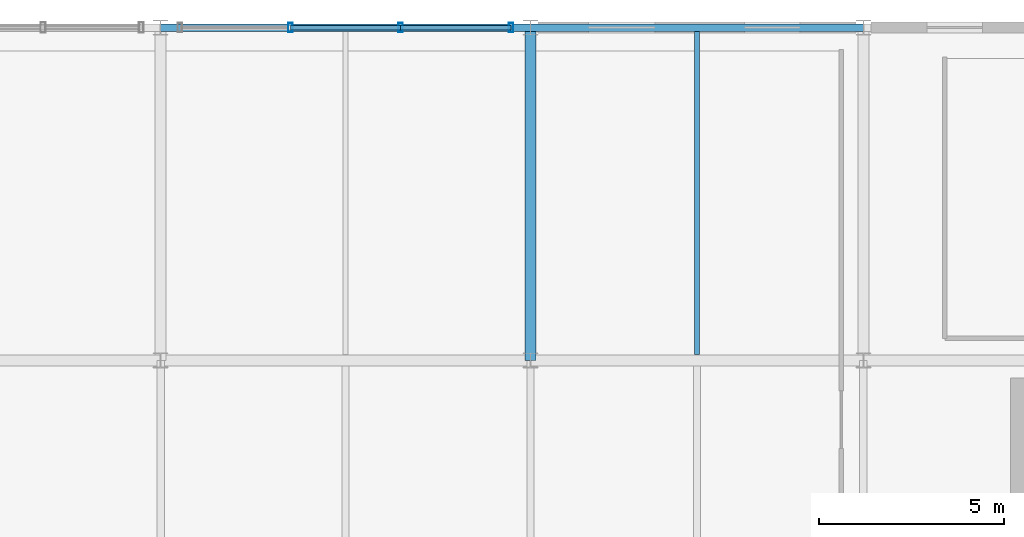
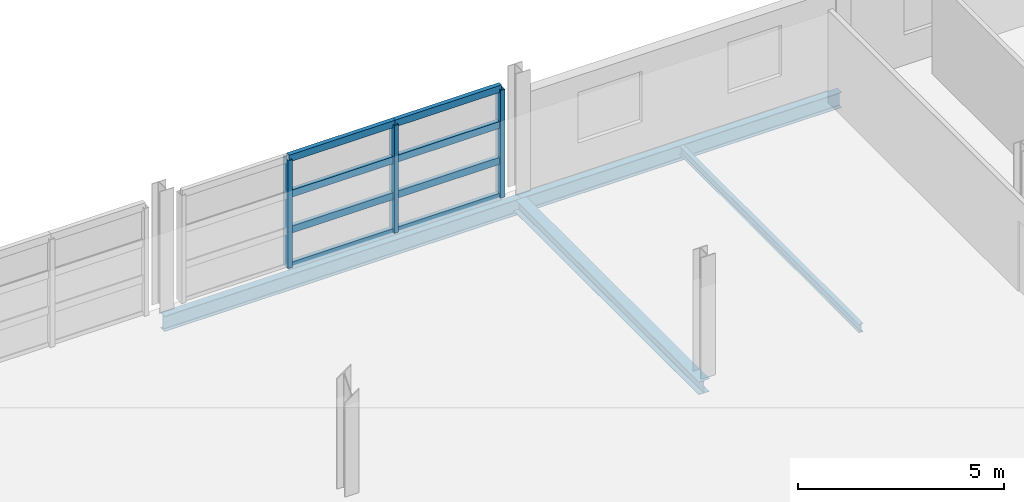
# One storey, part 77 of 116: 11 members, 4 beams, 1 element without a shape of its own.
"""IFC4 building model written with IfcOpenShell, lengths in metres."""

from ifc_helpers import new_model, si_unit, direction, frame, origin, origin_2d, place, context, subcontext, project, spatial, hollow_rectangle, i_section, extrude, material, material_profile, profile_set, type_object, element, aggregate, save


model = new_model("IFC4")

# Units and contexts
model_context = context("Model", 3, precision=1e-05, world=origin(), true_north=direction((0.0, 1.0)))
body_context = subcontext(model_context, "Body", "Model", "MODEL_VIEW")
ifc_project = project(units=[si_unit("LENGTHUNIT", "METRE"), si_unit("AREAUNIT", "SQUARE_METRE"), si_unit("VOLUMEUNIT", "CUBIC_METRE"), si_unit("PLANEANGLEUNIT", "RADIAN"), si_unit("MASSUNIT", "GRAM", prefix="KILO")], contexts=[model_context])

# Site, building, storey
site_placement = place(None, origin())
site = spatial("IfcSite", under=ifc_project, at=site_placement, CompositionType="ELEMENT")
building_placement = place(site_placement, origin())
building = spatial("IfcBuilding", under=site, at=building_placement, Name="Chuanluo Vaults Station", CompositionType="ELEMENT")
storey_placement = place(building_placement, frame((0.0, 0.0, 10.800048828125)))
storey = spatial("IfcBuildingStorey", under=building, at=storey_placement, Name="L02", CompositionType="ELEMENT", Elevation=10.800048828125)

# Beams
ifc_material_1 = material(Name="Steel Q355C", Category="steel")
ifc_material_profile_1 = material_profile(ifc_material_1, i_section(OverallWidth=0.300048828125, OverallDepth=0.389892578125, WebThickness=0.010009765625, FlangeThickness=0.01611328125, FilletRadius=0.02001953125, at=origin_2d()))
ifc_profile_set_1 = profile_set([ifc_material_profile_1], Name="Steel Q355C")
beam_type_1 = type_object("IfcBeamType", Name="BM-GRD-400", PredefinedType="BEAM", material=ifc_profile_set_1)
beam_1_placement = place(storey_placement, frame((136.0, 117.0, -0.4150390625), z_axis=(0.0, 1.0, 0.0), x_axis=(-1.0, 0.0, 0.0)))
element("IfcBeam", 1, at=beam_1_placement, inside=storey, type_object=beam_type_1, Name="Floor girder BM:GY:L02:0640", PredefinedType="BEAM", context=body_context, shape_type="SweptSolid", body=[
    extrude(i_section(OverallWidth=0.300048828125, OverallDepth=0.389892578125, WebThickness=0.010009765625, FlangeThickness=0.01611328125, FilletRadius=0.02001953125, at=origin_2d()), origin(), (0.0, 0.0, 1.0), 9.0),
])
ifc_material_2 = material(Name="Steel Q355C", Category="steel")
ifc_material_profile_2 = material_profile(ifc_material_2, i_section(OverallWidth=0.125, OverallDepth=0.25, WebThickness=0.006103515625, FlangeThickness=0.009033203125, FilletRadius=0.011962890625, at=origin_2d()))
ifc_profile_set_2 = profile_set([ifc_material_profile_2], Name="Steel Q355C")
beam_type_2 = type_object("IfcBeamType", Name="BM-SEC-250", PredefinedType="JOIST", material=ifc_profile_set_2)
beam_2_placement = place(storey_placement, frame((140.5, 117.155029296875, -0.344970703125), z_axis=(0.0, 1.0, 0.0), x_axis=(-1.0, 0.0, 0.0)))
element("IfcBeam", 2, at=beam_2_placement, inside=storey, type_object=beam_type_2, Name="Composite secondary joist 0198", PredefinedType="JOIST", context=body_context, shape_type="SweptSolid", body=[
    extrude(i_section(OverallWidth=0.125, OverallDepth=0.25, WebThickness=0.006103515625, FlangeThickness=0.009033203125, FilletRadius=0.011962890625, at=origin_2d()), origin(), (0.0, 0.0, 1.0), 8.737548828125),
])
ifc_material_3 = material(Name="Steel Q355C", Category="steel")
ifc_material_profile_3 = material_profile(ifc_material_3, i_section(OverallWidth=0.205078125, OverallDepth=0.4599609375, WebThickness=0.009033203125, FlangeThickness=0.013916015625, FilletRadius=0.01611328125, at=origin_2d()))
ifc_profile_set_3 = profile_set([ifc_material_profile_3], Name="Steel Q355C")
beam_type_3 = type_object("IfcBeamType", Name="BM-SPN-450", PredefinedType="SPANDREL", material=ifc_profile_set_3)
beam_3_placement = place(storey_placement, frame((126.0, 126.0, -0.449951171875), z_axis=(1.0, 0.0, 0.0), x_axis=(0.0, 1.0, 0.0)))
element("IfcBeam", 3, at=beam_3_placement, inside=storey, type_object=beam_type_3, Name="Floor girder BM:GX:L02:0613", PredefinedType="SPANDREL", context=body_context, shape_type="SweptSolid", body=[
    extrude(i_section(OverallWidth=0.205078125, OverallDepth=0.4599609375, WebThickness=0.009033203125, FlangeThickness=0.013916015625, FilletRadius=0.01611328125, at=origin_2d()), origin(), (0.0, 0.0, 1.0), 10.0),
])
beam_4_placement = place(storey_placement, frame((136.0, 126.0, -0.449951171875), z_axis=(1.0, 0.0, 0.0), x_axis=(0.0, 1.0, 0.0)))
element("IfcBeam", 4, at=beam_4_placement, inside=storey, type_object=beam_type_3, Name="Floor girder BM:GX:L02:0614", PredefinedType="SPANDREL", context=body_context, shape_type="SweptSolid", body=[
    extrude(i_section(OverallWidth=0.205078125, OverallDepth=0.4599609375, WebThickness=0.009033203125, FlangeThickness=0.013916015625, FilletRadius=0.01611328125, at=origin_2d()), origin(), (0.0, 0.0, 1.0), 9.0),
])

# Curtain wall, members
ifc_material_4 = material(Name="Anodised aluminium 6063-T6", Category="aluminium")
curtain_wall_type = type_object("IfcCurtainWallType", Name="CW-SYS-11", PredefinedType="NOTDEFINED", material=ifc_material_4)
curtain_wall_placement = place(storey_placement, origin())
curtain_wall = element("IfcCurtainWall", 5, at=curtain_wall_placement, inside=storey, type_object=curtain_wall_type, Name="Operations L02 facade CW", PredefinedType="NOTDEFINED")
ifc_material_5 = material(Name="Anodised aluminium 6063-T6", Category="aluminium")
ifc_material_profile_4 = material_profile(ifc_material_5, hollow_rectangle(XDim=0.1201171875, YDim=0.25, WallThickness=0.006103515625, at=origin_2d()))
ifc_profile_set_4 = profile_set([ifc_material_profile_4], Name="Anodised aluminium 6063-T6")
member_type_1 = type_object("IfcMemberType", Name="CWM-160", PredefinedType="MULLION", material=ifc_profile_set_4)
member_1_placement = place(storey_placement, frame((129.50830078125, 126.0, 0.0), z_axis=(0.0, 0.0, 1.0), x_axis=(1.0, 0.0, 0.0)))
member_1 = element("IfcMember", 6, at=member_1_placement, type_object=member_type_1, Name="Operations L02 facade CW mullion 2", PredefinedType="MULLION", context=body_context, shape_type="SweptSolid", body=[
    extrude(hollow_rectangle(XDim=0.1201171875, YDim=0.25, WallThickness=0.006103515625, at=origin_2d()), origin(), (0.0, 0.0, 1.0), 3.199951171875),
])
member_2_placement = place(storey_placement, frame((132.49169921875, 126.0, 0.0), z_axis=(0.0, 0.0, 1.0), x_axis=(1.0, 0.0, 0.0)))
member_2 = element("IfcMember", 7, at=member_2_placement, type_object=member_type_1, Name="Operations L02 facade CW mullion 3", PredefinedType="MULLION", context=body_context, shape_type="SweptSolid", body=[
    extrude(hollow_rectangle(XDim=0.1201171875, YDim=0.25, WallThickness=0.006103515625, at=origin_2d()), origin(), (0.0, 0.0, 1.0), 3.199951171875),
])
member_3_placement = place(storey_placement, frame((135.47509765625, 126.0, 0.0), z_axis=(0.0, 0.0, 1.0), x_axis=(1.0, 0.0, 0.0)))
member_3 = element("IfcMember", 8, at=member_3_placement, type_object=member_type_1, Name="Operations L02 facade CW mullion 4", PredefinedType="MULLION", context=body_context, shape_type="SweptSolid", body=[
    extrude(hollow_rectangle(XDim=0.1201171875, YDim=0.25, WallThickness=0.006103515625, at=origin_2d()), origin(), (0.0, 0.0, 1.0), 3.199951171875),
])
ifc_material_6 = material(Name="Anodised aluminium 6063-T6", Category="aluminium")
ifc_material_profile_5 = material_profile(ifc_material_6, hollow_rectangle(XDim=0.1201171875, YDim=0.205078125, WallThickness=0.006103515625, at=origin_2d()))
ifc_profile_set_5 = profile_set([ifc_material_profile_5], Name="Anodised aluminium 6063-T6")
member_type_2 = type_object("IfcMemberType", Name="CWT-130", PredefinedType="USERDEFINED", material=ifc_profile_set_5)
member_4_placement = place(storey_placement, frame((129.50830078125, 126.0, 0.0), z_axis=(1.0, 0.0, 0.0), x_axis=(0.0, 1.0, 0.0)))
member_4 = element("IfcMember", 9, at=member_4_placement, type_object=member_type_2, Name="Operations L02 facade CW transom 2.1", ObjectType="TRANSOM", PredefinedType="USERDEFINED", context=body_context, shape_type="SweptSolid", body=[
    extrude(hollow_rectangle(XDim=0.1201171875, YDim=0.205078125, WallThickness=0.006103515625, at=origin_2d()), origin(), (0.0, 0.0, 1.0), 2.9833984375),
])
member_5_placement = place(storey_placement, frame((129.50830078125, 126.0, 1.066650390625), z_axis=(1.0, 0.0, 0.0), x_axis=(0.0, 1.0, 0.0)))
member_5 = element("IfcMember", 10, at=member_5_placement, type_object=member_type_2, Name="Operations L02 facade CW transom 2.2", ObjectType="TRANSOM", PredefinedType="USERDEFINED", context=body_context, shape_type="SweptSolid", body=[
    extrude(hollow_rectangle(XDim=0.1201171875, YDim=0.205078125, WallThickness=0.006103515625, at=origin_2d()), origin(), (0.0, 0.0, 1.0), 2.9833984375),
])
member_6_placement = place(storey_placement, frame((129.50830078125, 126.0, 2.13330078125), z_axis=(1.0, 0.0, 0.0), x_axis=(0.0, 1.0, 0.0)))
member_6 = element("IfcMember", 11, at=member_6_placement, type_object=member_type_2, Name="Operations L02 facade CW transom 2.3", ObjectType="TRANSOM", PredefinedType="USERDEFINED", context=body_context, shape_type="SweptSolid", body=[
    extrude(hollow_rectangle(XDim=0.1201171875, YDim=0.205078125, WallThickness=0.006103515625, at=origin_2d()), origin(), (0.0, 0.0, 1.0), 2.9833984375),
])
member_7_placement = place(storey_placement, frame((129.50830078125, 126.0, 3.199951171875), z_axis=(1.0, 0.0, 0.0), x_axis=(0.0, 1.0, 0.0)))
member_7 = element("IfcMember", 12, at=member_7_placement, type_object=member_type_2, Name="Operations L02 facade CW transom 2.4", ObjectType="TRANSOM", PredefinedType="USERDEFINED", context=body_context, shape_type="SweptSolid", body=[
    extrude(hollow_rectangle(XDim=0.1201171875, YDim=0.205078125, WallThickness=0.006103515625, at=origin_2d()), origin(), (0.0, 0.0, 1.0), 2.9833984375),
])
member_8_placement = place(storey_placement, frame((132.49169921875, 126.0, 0.0), z_axis=(1.0, 0.0, 0.0), x_axis=(0.0, 1.0, 0.0)))
member_8 = element("IfcMember", 13, at=member_8_placement, type_object=member_type_2, Name="Operations L02 facade CW transom 3.1", ObjectType="TRANSOM", PredefinedType="USERDEFINED", context=body_context, shape_type="SweptSolid", body=[
    extrude(hollow_rectangle(XDim=0.1201171875, YDim=0.205078125, WallThickness=0.006103515625, at=origin_2d()), origin(), (0.0, 0.0, 1.0), 2.9833984375),
])
member_9_placement = place(storey_placement, frame((132.49169921875, 126.0, 1.066650390625), z_axis=(1.0, 0.0, 0.0), x_axis=(0.0, 1.0, 0.0)))
member_9 = element("IfcMember", 14, at=member_9_placement, type_object=member_type_2, Name="Operations L02 facade CW transom 3.2", ObjectType="TRANSOM", PredefinedType="USERDEFINED", context=body_context, shape_type="SweptSolid", body=[
    extrude(hollow_rectangle(XDim=0.1201171875, YDim=0.205078125, WallThickness=0.006103515625, at=origin_2d()), origin(), (0.0, 0.0, 1.0), 2.9833984375),
])
member_10_placement = place(storey_placement, frame((132.49169921875, 126.0, 2.13330078125), z_axis=(1.0, 0.0, 0.0), x_axis=(0.0, 1.0, 0.0)))
member_10 = element("IfcMember", 15, at=member_10_placement, type_object=member_type_2, Name="Operations L02 facade CW transom 3.3", ObjectType="TRANSOM", PredefinedType="USERDEFINED", context=body_context, shape_type="SweptSolid", body=[
    extrude(hollow_rectangle(XDim=0.1201171875, YDim=0.205078125, WallThickness=0.006103515625, at=origin_2d()), origin(), (0.0, 0.0, 1.0), 2.9833984375),
])
member_11_placement = place(storey_placement, frame((132.49169921875, 126.0, 3.199951171875), z_axis=(1.0, 0.0, 0.0), x_axis=(0.0, 1.0, 0.0)))
member_11 = element("IfcMember", 16, at=member_11_placement, type_object=member_type_2, Name="Operations L02 facade CW transom 3.4", ObjectType="TRANSOM", PredefinedType="USERDEFINED", context=body_context, shape_type="SweptSolid", body=[
    extrude(hollow_rectangle(XDim=0.1201171875, YDim=0.205078125, WallThickness=0.006103515625, at=origin_2d()), origin(), (0.0, 0.0, 1.0), 2.9833984375),
])
aggregate(curtain_wall, [member_1, member_2, member_3, member_4, member_5, member_6, member_7, member_8, member_9, member_10, member_11])

save(model, "model.ifc")
